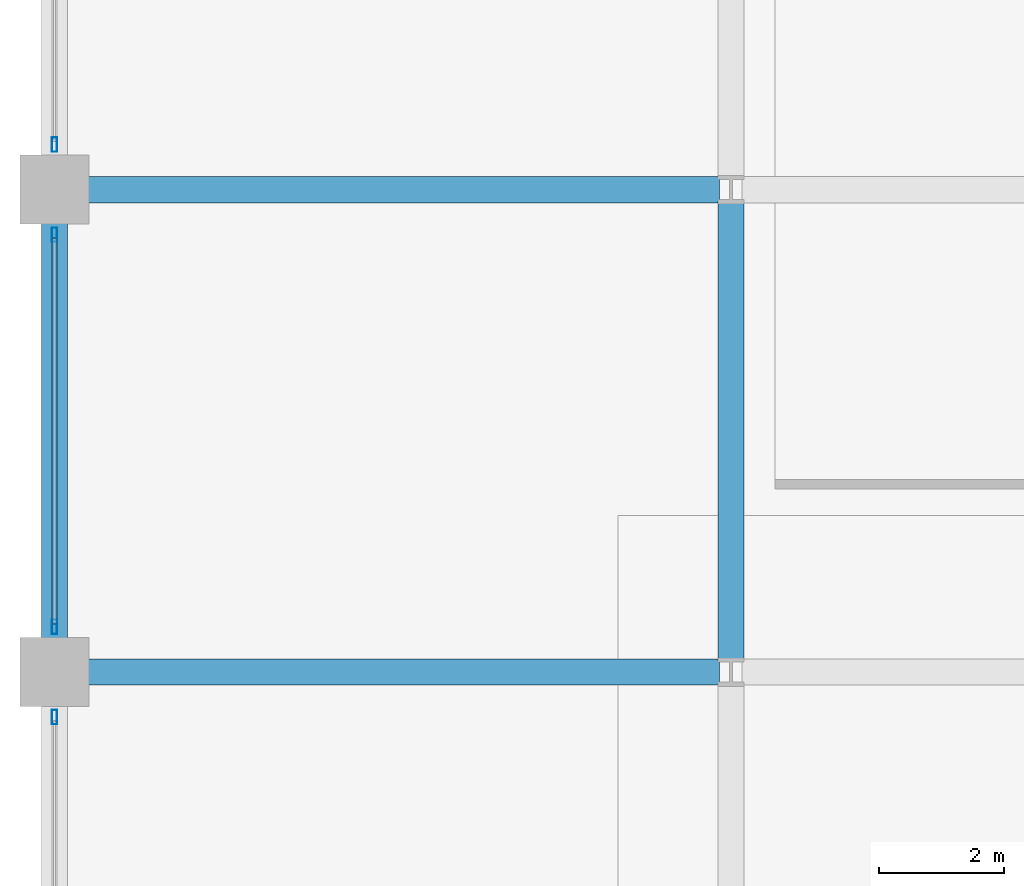
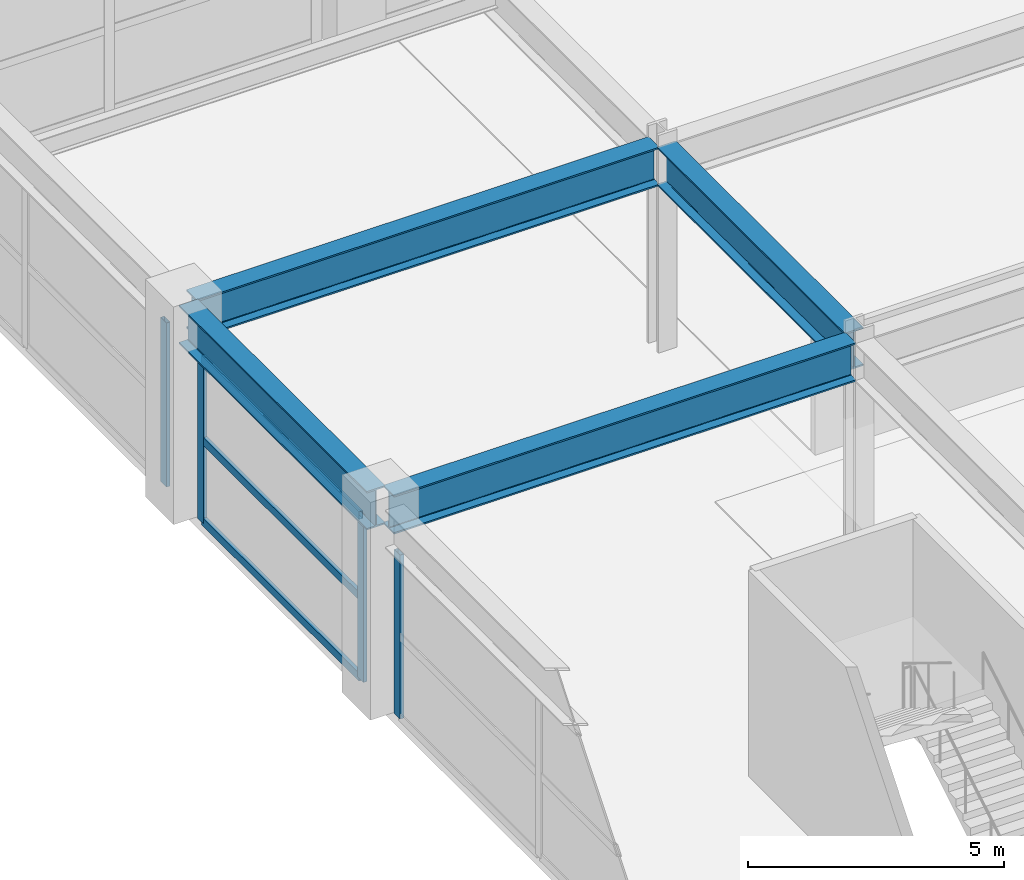
# One storey, part 13 of 45: 7 members, 4 beams, 3 elements without a shape of their own.
"""IFC4 building model written with IfcOpenShell, lengths in metres."""

from ifc_helpers import new_model, si_unit, direction, frame, origin, origin_2d, place, context, subcontext, project, spatial, hollow_rectangle, i_section, extrude, material, material_profile, profile_set, type_object, element, aggregate, save


model = new_model("IFC4")

# Units and contexts
model_context = context("Model", 3, precision=1e-05, world=origin(), true_north=direction((0.0, 1.0)))
body_context = subcontext(model_context, "Body", "Model", "MODEL_VIEW")
ifc_project = project(units=[si_unit("LENGTHUNIT", "METRE"), si_unit("AREAUNIT", "SQUARE_METRE"), si_unit("VOLUMEUNIT", "CUBIC_METRE"), si_unit("PLANEANGLEUNIT", "RADIAN"), si_unit("MASSUNIT", "GRAM", prefix="KILO")], contexts=[model_context])

# Site, building, storey
site_placement = place(None, origin())
site = spatial("IfcSite", under=ifc_project, at=site_placement, CompositionType="ELEMENT")
building_placement = place(site_placement, origin())
building = spatial("IfcBuilding", under=site, at=building_placement, Name="Kovane Verandah Tower", CompositionType="ELEMENT")
storey_placement = place(building_placement, frame((0.0, 0.0, 6.0)))
storey = spatial("IfcBuildingStorey", under=building, at=storey_placement, Name="L01", CompositionType="ELEMENT", Elevation=6.0)

# Beams
ifc_material_1 = material(Name="Steel S460", Category="steel")
ifc_material_profile_1 = material_profile(ifc_material_1, i_section(OverallWidth=0.42041015625, OverallDepth=0.9208984375, WebThickness=0.021484375, FlangeThickness=0.03662109375, FilletRadius=0.024169921875, at=origin_2d()), Name="UB914x419x388")
ifc_profile_set_1 = profile_set([ifc_material_profile_1], Name="Steel S460")
beam_type = type_object("IfcBeamType", Name="BM-UB914x388", PredefinedType="BEAM", material=ifc_profile_set_1)
for number, where, z_axis, x_axis, name in (
    (1, (-1.820068359375, 36.5, 4.439453125), (1.0, 0.0, 0.0), (0.0, 1.0, 0.0), "L01 Podium Grid Girder X09"),
    (2, (-1.820068359375, 44.199951171875, 4.439453125), (1.0, 0.0, 0.0), (0.0, 1.0, 0.0), "L01 Podium Grid Girder X13"),
):
    element("IfcBeam", number, at=place(storey_placement, frame(where, z_axis=z_axis, x_axis=x_axis)), inside=storey, type_object=beam_type, Name=name, PredefinedType="BEAM", context=body_context, shape_type="SweptSolid", body=[
        extrude(i_section(OverallWidth=0.42041015625, OverallDepth=0.9208984375, WebThickness=0.021484375, FlangeThickness=0.03662109375, FilletRadius=0.024169921875, at=origin_2d()), origin(), (0.0, 0.0, 1.0), 10.440185546875),
    ])
for number, where, z_axis, x_axis, name in (
    (3, (-2.0, 36.679931640625, 4.439453125), (0.0, 1.0, 0.0), (-1.0, 0.0, 0.0), "L01 Podium Grid Girder Y26"),
    (4, (8.800048828125, 36.679931640625, 4.439453125), (0.0, 1.0, 0.0), (-1.0, 0.0, 0.0), "L01 Podium Grid Girder Y30"),
):
    element("IfcBeam", number, at=place(storey_placement, frame(where, z_axis=z_axis, x_axis=x_axis)), inside=storey, type_object=beam_type, Name=name, PredefinedType="BEAM", context=body_context, shape_type="SweptSolid", body=[
        extrude(i_section(OverallWidth=0.42041015625, OverallDepth=0.9208984375, WebThickness=0.021484375, FlangeThickness=0.03662109375, FilletRadius=0.024169921875, at=origin_2d()), origin(), (0.0, 0.0, 1.0), 7.340087890625),
    ])

# Curtain wall, member
ifc_material_2 = material(Name="Champagne Anodised Aluminium Frame with Low-E Clear Laminated Glass", Category="aluminium")
curtain_wall_type = type_object("IfcCurtainWallType", Name="CW-SYS-01-POD", PredefinedType="NOTDEFINED", material=ifc_material_2)
curtain_wall_1_placement = place(storey_placement, origin())
curtain_wall_1 = element("IfcCurtainWall", 5, at=curtain_wall_1_placement, inside=storey, type_object=curtain_wall_type, Name="L01 West Podium Curtain Wall Bay 3", PredefinedType="NOTDEFINED")
ifc_material_3 = material(Name="Champagne Anodised Aluminium 6063-T6", Category="aluminium")
ifc_material_profile_2 = material_profile(ifc_material_3, hollow_rectangle(XDim=0.0849609375, YDim=0.22998046875, WallThickness=0.00390625, at=origin_2d()), Name="AL85x230x4")
ifc_profile_set_2 = profile_set([ifc_material_profile_2], Name="Champagne Anodised Aluminium 6063-T6")
member_type_1 = type_object("IfcMemberType", Name="CW-MUL-85x230", PredefinedType="MULLION", material=ifc_profile_set_2)
member_1_placement = place(storey_placement, frame((-2.0, 35.780029296875, 0.02001953125), z_axis=(0.0, 0.0, 1.0), x_axis=(-1.0, 0.0, 0.0)))
member_1 = element("IfcMember", 6, at=member_1_placement, type_object=member_type_1, Name="L01 West Podium Curtain Wall Bay 3 Mullion 1", PredefinedType="MULLION", context=body_context, shape_type="SweptSolid", body=[
    extrude(hollow_rectangle(XDim=0.0849609375, YDim=0.22998046875, WallThickness=0.00390625, at=origin_2d()), origin(), (0.0, 0.0, 1.0), 3.9189453125),
])
aggregate(curtain_wall_1, [member_1])

# Curtain wall, members
curtain_wall_2_placement = place(storey_placement, origin())
curtain_wall_2 = element("IfcCurtainWall", 7, at=curtain_wall_2_placement, inside=storey, type_object=curtain_wall_type, Name="L01 West Podium Curtain Wall Bay 4", PredefinedType="NOTDEFINED")
member_2_placement = place(storey_placement, frame((-2.0, 43.47998046875, 0.02001953125), z_axis=(0.0, 0.0, 1.0), x_axis=(-1.0, 0.0, 0.0)))
member_2 = element("IfcMember", 8, at=member_2_placement, type_object=member_type_1, Name="L01 West Podium Curtain Wall Bay 4 Mullion 1", PredefinedType="MULLION", context=body_context, shape_type="SweptSolid", body=[
    extrude(hollow_rectangle(XDim=0.0849609375, YDim=0.22998046875, WallThickness=0.00390625, at=origin_2d()), origin(), (0.0, 0.0, 1.0), 3.9189453125),
])
member_3_placement = place(storey_placement, frame((-2.0, 37.219970703125, 0.02001953125), z_axis=(0.0, 0.0, 1.0), x_axis=(-1.0, 0.0, 0.0)))
member_3 = element("IfcMember", 9, at=member_3_placement, type_object=member_type_1, Name="L01 West Podium Curtain Wall Bay 4 Mullion 2", PredefinedType="MULLION", context=body_context, shape_type="SweptSolid", body=[
    extrude(hollow_rectangle(XDim=0.0849609375, YDim=0.22998046875, WallThickness=0.00390625, at=origin_2d()), origin(), (0.0, 0.0, 1.0), 3.9189453125),
])

# Curtain wall, member
curtain_wall_3_placement = place(storey_placement, origin())
curtain_wall_3 = element("IfcCurtainWall", 10, at=curtain_wall_3_placement, inside=storey, type_object=curtain_wall_type, Name="L01 West Podium Curtain Wall Bay 5", PredefinedType="NOTDEFINED")
member_4_placement = place(storey_placement, frame((-2.0, 44.919921875, 0.02001953125), z_axis=(0.0, 0.0, 1.0), x_axis=(-1.0, 0.0, 0.0)))
member_4 = element("IfcMember", 11, at=member_4_placement, type_object=member_type_1, Name="L01 West Podium Curtain Wall Bay 5 Mullion 3", PredefinedType="MULLION", context=body_context, shape_type="SweptSolid", body=[
    extrude(hollow_rectangle(XDim=0.0849609375, YDim=0.22998046875, WallThickness=0.00390625, at=origin_2d()), origin(), (0.0, 0.0, 1.0), 3.9189453125),
])
aggregate(curtain_wall_3, [member_4])

# Member
ifc_material_profile_3 = material_profile(ifc_material_3, hollow_rectangle(XDim=0.0849609375, YDim=0.18994140625, WallThickness=0.00390625, at=origin_2d()), Name="AL85x190x4")
ifc_profile_set_3 = profile_set([ifc_material_profile_3], Name="Champagne Anodised Aluminium 6063-T6")
member_type_2 = type_object("IfcMemberType", Name="CW-TRN-85x190", PredefinedType="USERDEFINED", material=ifc_profile_set_3)
member_5_placement = place(storey_placement, frame((-2.0, 43.429931640625, 0.050048828125), z_axis=(0.0, -1.0, 0.0), x_axis=(1.0, 0.0, 0.0)))
member_5 = element("IfcMember", 12, at=member_5_placement, type_object=member_type_2, Name="L01 West Podium Curtain Wall Bay 4 Transom TB Bay 1", ObjectType="TRANSOM", PredefinedType="USERDEFINED", context=body_context, shape_type="SweptSolid", body=[
    extrude(hollow_rectangle(XDim=0.0849609375, YDim=0.18994140625, WallThickness=0.00390625, at=origin_2d()), origin(), (0.0, 0.0, 1.0), 6.159912109375),
])

member_6_placement = place(storey_placement, frame((-2.0, 43.429931640625, 1.9794921875), z_axis=(0.0, -1.0, 0.0), x_axis=(1.0, 0.0, 0.0)))
member_6 = element("IfcMember", 13, at=member_6_placement, type_object=member_type_2, Name="L01 West Podium Curtain Wall Bay 4 Transom TM Bay 1", ObjectType="TRANSOM", PredefinedType="USERDEFINED", context=body_context, shape_type="SweptSolid", body=[
    extrude(hollow_rectangle(XDim=0.0849609375, YDim=0.18994140625, WallThickness=0.00390625, at=origin_2d()), origin(), (0.0, 0.0, 1.0), 6.159912109375),
])

member_7_placement = place(storey_placement, frame((-2.0, 43.429931640625, 3.908935546875), z_axis=(0.0, -1.0, 0.0), x_axis=(1.0, 0.0, 0.0)))
member_7 = element("IfcMember", 14, at=member_7_placement, type_object=member_type_2, Name="L01 West Podium Curtain Wall Bay 4 Transom TT Bay 1", ObjectType="TRANSOM", PredefinedType="USERDEFINED", context=body_context, shape_type="SweptSolid", body=[
    extrude(hollow_rectangle(XDim=0.0849609375, YDim=0.18994140625, WallThickness=0.00390625, at=origin_2d()), origin(), (0.0, 0.0, 1.0), 6.159912109375),
])

aggregate(curtain_wall_2, [member_2, member_3, member_5, member_6, member_7])

save(model, "model.ifc")
